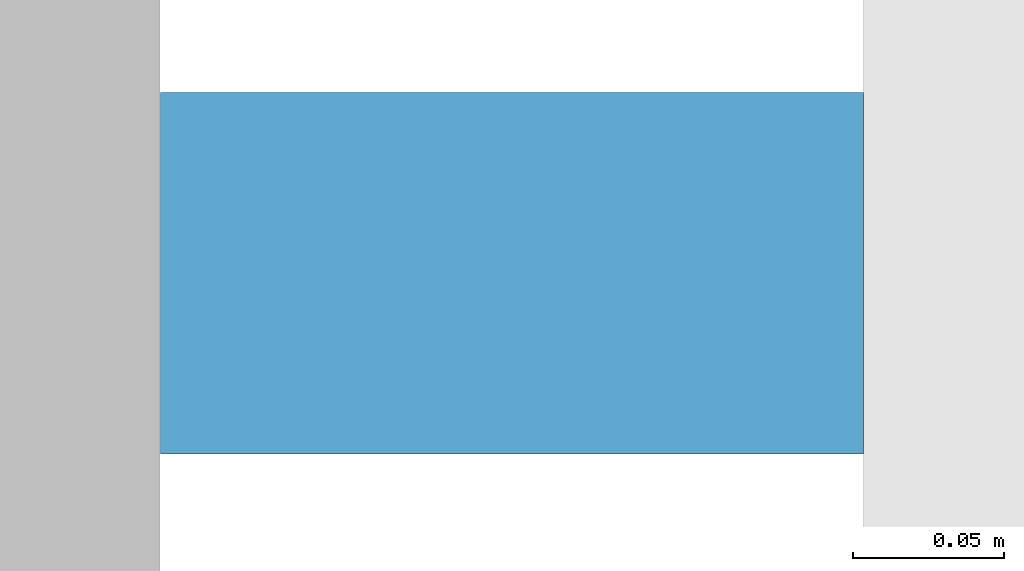
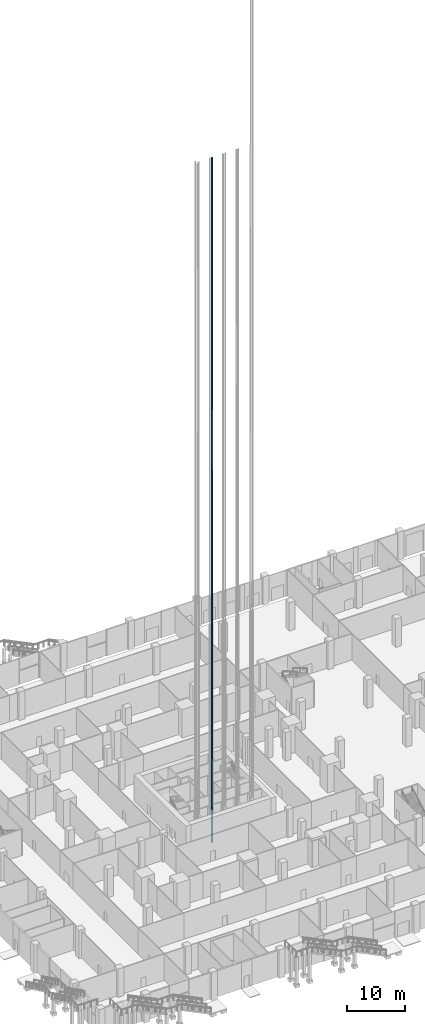
# One storey, part 44 of 68: 1 discrete accessory.
"""IFC4 building model written with IfcOpenShell, lengths in metres."""

import ifcopenshell
import ifcopenshell.guid

model = None  # the IFC model being written
_history = None  # IfcOwnerHistory: only IFC2X3 demands one
_inside = {}  # id of a spatial element -> (the spatial element, [elements in it])
_under = {}  # id of a project, library or spatial element -> (it, [spatial elements below it])
_declared = {}  # id of a project -> (the project, [libraries it declares])
_typed = {}  # id of a type object -> (the type object, [elements of that type])
_made_of = {}  # id of a material, layer set ... -> (it, [elements and type objects made of it])


def new_model(schema):
    """Start an empty IFC model of exactly this schema.

    Asked for "IFC4X3", IfcOpenShell would pick the latest addendum, in which some entities
    have other attributes; the version numbers below select the first issue.
    IFC2X3 requires an IfcOwnerHistory on every rooted entity: one is made here for all.
    """
    global model, _history
    if schema == "IFC4X3":
        model = ifcopenshell.file(schema_version=(4, 3, 0, 0))
    else:
        model = ifcopenshell.file(schema=schema)
    _inside.clear()
    _under.clear()
    _declared.clear()
    _typed.clear()
    _made_of.clear()
    _history = None
    if model.schema == "IFC2X3":
        org = make("IfcOrganization", Name="unknown")
        user = make(
            "IfcPersonAndOrganization",
            ThePerson=make("IfcPerson", FamilyName="unknown"),
            TheOrganization=org,
        )
        app = make(
            "IfcApplication",
            ApplicationDeveloper=org,
            Version="unknown",
            ApplicationFullName="unknown",
            ApplicationIdentifier="unknown",
        )
        _history = make(
            "IfcOwnerHistory",
            OwningUser=user,
            OwningApplication=app,
            ChangeAction="ADDED",
            CreationDate=0,
        )
    return model


def make(cls, **values):
    """One entity of the class cls with the attributes given. An attribute that is None is left unset."""
    return model.create_entity(
        cls, **{name: value for name, value in values.items() if value is not None}
    )


def rooted(cls, **values):
    """An entity with a GlobalId (a new one), such as an element, a storey or a relation."""
    return make(cls, GlobalId=ifcopenshell.guid.new(), OwnerHistory=_history, **values)


def si_unit(unit_type, name, prefix=None):
    """IfcSIUnit, for example si_unit("LENGTHUNIT", "METRE", prefix="MILLI")."""
    return make("IfcSIUnit", UnitType=unit_type, Prefix=prefix, Name=name)


def assignment(units):
    """IfcUnitAssignment: the units of a project."""
    return None if units is None else make("IfcUnitAssignment", Units=units)


def point(xyz):
    """IfcCartesianPoint."""
    return None if xyz is None else make("IfcCartesianPoint", Coordinates=xyz)


def direction(xyz):
    """IfcDirection."""
    return None if xyz is None else make("IfcDirection", DirectionRatios=xyz)


def frame(location, z_axis=None, x_axis=None):
    """IfcAxis2Placement3D, a coordinate frame: its origin and axes. An axis left out is left unset."""
    return make(
        "IfcAxis2Placement3D",
        Location=point(location),
        Axis=direction(z_axis),
        RefDirection=direction(x_axis),
    )


def frame_2d(location, x_axis=None):
    """IfcAxis2Placement2D, a coordinate frame in the plane: its origin and x axis."""
    return make(
        "IfcAxis2Placement2D", Location=point(location), RefDirection=direction(x_axis)
    )


def origin():
    """The frame at (0, 0, 0) with its axes left unset."""
    return frame((0.0, 0.0, 0.0))


def origin_2d():
    """The frame at (0, 0) in the plane with its x axis left unset."""
    return frame_2d((0.0, 0.0))


def place(relative_to, where):
    """IfcLocalPlacement: puts the frame where relative to a parent placement (None: the world)."""
    return make(
        "IfcLocalPlacement", PlacementRelTo=relative_to, RelativePlacement=where
    )


def context(
    kind, dimensions, precision=None, world=None, true_north=None, identifier=None
):
    """IfcGeometricRepresentationContext, for example the 3D "Model" context."""
    return make(
        "IfcGeometricRepresentationContext",
        ContextIdentifier=identifier,
        ContextType=kind,
        CoordinateSpaceDimension=dimensions,
        Precision=precision,
        WorldCoordinateSystem=world,
        TrueNorth=true_north,
    )


def subcontext(parent, identifier, kind, view, scale=None):
    """IfcGeometricRepresentationSubContext, for example "Body" below "Model"."""
    return make(
        "IfcGeometricRepresentationSubContext",
        ContextIdentifier=identifier,
        ContextType=kind,
        ParentContext=parent,
        TargetScale=scale,
        TargetView=view,
    )


def project(units=None, contexts=None):
    """IfcProject with its units and contexts."""
    return rooted(
        "IfcProject",
        Name="project",
        RepresentationContexts=contexts,
        UnitsInContext=assignment(units),
    )


def spatial(cls, under=None, at=None, **own):
    """A site, building, storey or space (cls), placed at a placement, below another one or the project."""
    s = rooted(cls, ObjectPlacement=at, **own)
    if under is not None:
        _under.setdefault(under.id(), (under, []))[1].append(s)
    return s


def profile(cls, at=None, kind="AREA", **sizes):
    """A parametric profile (cls). Its sizes go by their IFC names, for example OverallWidth=200.0."""
    return make(cls, ProfileType=kind, Position=at, **sizes)


def rectangle(**sizes):
    """IfcRectangleProfileDef."""
    return profile("IfcRectangleProfileDef", **sizes)


def extrude(swept, where, along, depth):
    """IfcExtrudedAreaSolid: the profile swept, set in the frame where, extruded along a direction by depth."""
    return make(
        "IfcExtrudedAreaSolid",
        SweptArea=swept,
        Position=where,
        ExtrudedDirection=direction(along),
        Depth=depth,
    )


def shape(context_of_items, identifier, shape_type, items):
    """IfcShapeRepresentation: the items that make up one representation, for example the "Body"."""
    return make(
        "IfcShapeRepresentation",
        ContextOfItems=context_of_items,
        RepresentationIdentifier=identifier,
        RepresentationType=shape_type,
        Items=items,
    )


def made_of(thing, what):
    """Note that an element or type object is made of a material, layer set ...; save() writes the relation."""
    if what is not None:
        _made_of.setdefault(what.id(), (what, []))[1].append(thing)
    return thing


def element(
    cls,
    number,
    at=None,
    inside=None,
    cuts=None,
    type_object=None,
    material=None,
    context=None,
    identifier="Body",
    shape_type=None,
    held_by="IfcProductDefinitionShape",
    body=None,
    shapes=None,
    **own,
):
    """One element of the class cls, such as IfcWall. Its Tag is "e" and its number.

    at: its placement. inside: the storey or other place that contains it. cuts: it is an
    opening in that element (IfcRelVoidsElement). A single representation is given by context,
    identifier, shape_type and body (its items); several are given by shapes. held_by: the class
    of the entity that holds the representations. save() writes the other relations.
    """
    e = rooted(cls, Tag="e%d" % number, ObjectPlacement=at, **own)
    if body is not None:
        shapes = [shape(context, identifier, shape_type, body)]
    if shapes is not None:
        e.Representation = make(held_by, Representations=shapes)
    if inside is not None:
        _inside.setdefault(inside.id(), (inside, []))[1].append(e)
    if cuts is not None:
        rooted(
            "IfcRelVoidsElement", RelatingBuildingElement=cuts, RelatedOpeningElement=e
        )
    if type_object is not None:
        _typed.setdefault(type_object.id(), (type_object, []))[1].append(e)
    return made_of(e, material)


def aggregate(whole, parts):
    """IfcRelAggregates: a whole, such as a stair, and the parts it consists of."""
    return rooted("IfcRelAggregates", RelatingObject=whole, RelatedObjects=parts)


def save(model, path):
    """Write the relations noted so far, then the file.

    IfcRelAggregates (storeys below a building ...), IfcRelContainedInSpatialStructure (elements
    in a storey), IfcRelDefinesByType, IfcRelAssociatesMaterial and IfcRelDeclares: one each for
    every whole, place, type object, material and project.
    """
    for whole, parts in _under.values():
        aggregate(whole, parts)
    for where, things in _inside.values():
        rooted(
            "IfcRelContainedInSpatialStructure",
            RelatedElements=things,
            RelatingStructure=where,
        )
    for kind, things in _typed.values():
        rooted("IfcRelDefinesByType", RelatedObjects=things, RelatingType=kind)
    for what, things in _made_of.values():
        rooted("IfcRelAssociatesMaterial", RelatedObjects=things, RelatingMaterial=what)
    for by, libraries in _declared.values():
        rooted("IfcRelDeclares", RelatingContext=by, RelatedDefinitions=libraries)
    model.write(path)


model = new_model("IFC4")

# Units and contexts
model_context = context("Model", 3, precision=1e-05, world=origin(), true_north=direction((0.0, 1.0)))
body_context = subcontext(model_context, "Body", "Model", "MODEL_VIEW")
ifc_project = project(units=[si_unit("LENGTHUNIT", "METRE"), si_unit("AREAUNIT", "SQUARE_METRE"), si_unit("VOLUMEUNIT", "CUBIC_METRE"), si_unit("PLANEANGLEUNIT", "RADIAN"), si_unit("MASSUNIT", "GRAM", prefix="KILO")], contexts=[model_context])

# Site, building, storey
site_placement = place(None, origin())
site = spatial("IfcSite", under=ifc_project, at=site_placement, CompositionType="ELEMENT")
building_placement = place(site_placement, origin())
building = spatial("IfcBuilding", under=site, at=building_placement, Name="Altepetl Exchange Towers", CompositionType="ELEMENT")
storey_placement = place(building_placement, origin())
storey = spatial("IfcBuildingStorey", under=building, at=storey_placement, Name="L00 Ground concourse", CompositionType="ELEMENT", Elevation=0.0)

# Discrete accessory
discrete_accessory_placement = place(storey_placement, frame((47.050048828125, 42.800048828125, -1.60009765625)))
element("IfcDiscreteAccessory", 1, at=discrete_accessory_placement, inside=storey, Name="Guide rail P3", ObjectType="GUIDE RAIL", PredefinedType="USERDEFINED", context=body_context, shape_type="SweptSolid", body=[
    extrude(rectangle(XDim=0.2333984375, YDim=0.1201171875, at=origin_2d()), origin(), (0.0, 0.0, 1.0), 144.85009765625),
])

save(model, "model.ifc")
